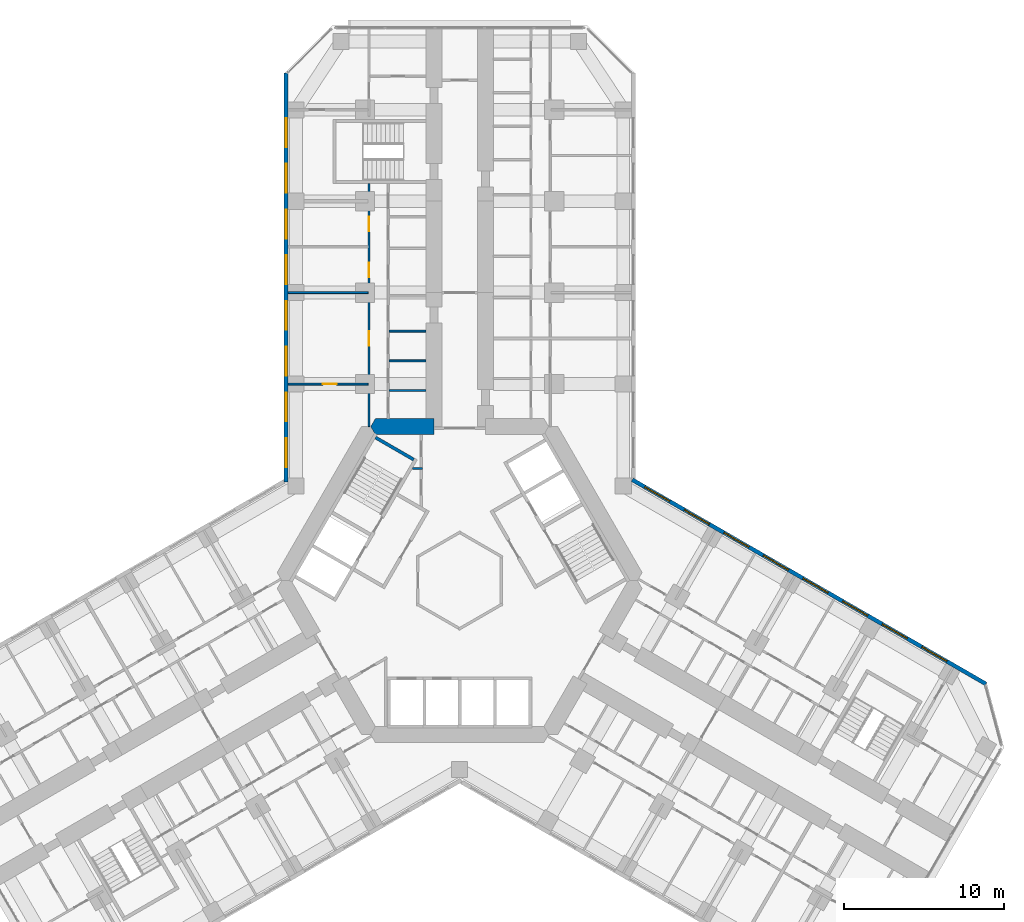
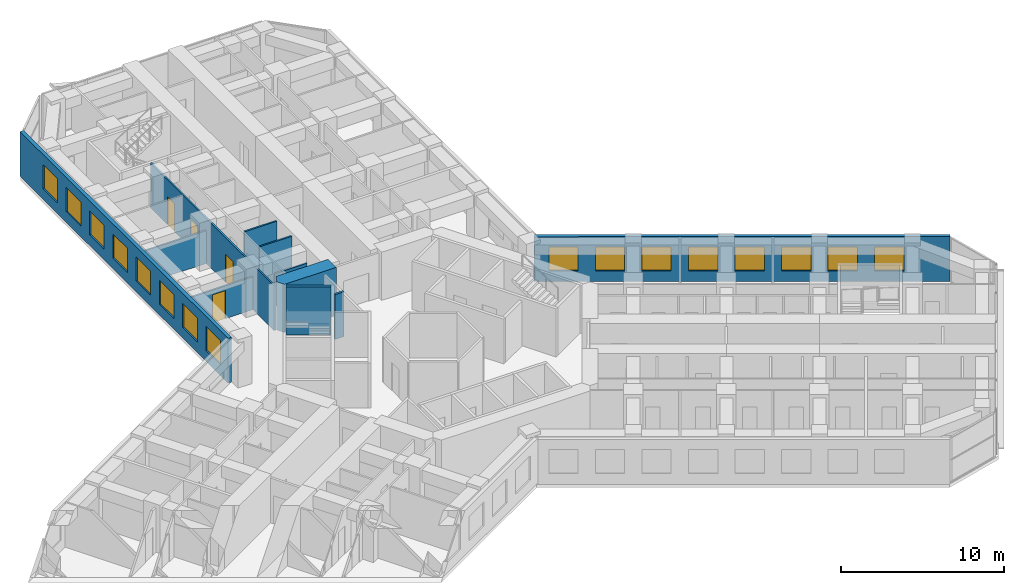
# One storey, part 17 of 21: 16 windows, 11 walls, 4 doors, 20 openings.
"""IFC4 building model written with IfcOpenShell, lengths in metres."""

from ifc_helpers import new_model, si_unit, direction, frame, frame_2d, origin, place, context, subcontext, project, spatial, polyline, rectangle, outline, extrude, material, layer, layer_set, type_object, element, fill, save


model = new_model("IFC4")

# Units and contexts
model_context = context("Model", 3, precision=1e-05, world=origin(), true_north=direction((0.0, 1.0)))
body_context = subcontext(model_context, "Body", "Model", "MODEL_VIEW")
ifc_project = project(units=[si_unit("LENGTHUNIT", "METRE"), si_unit("AREAUNIT", "SQUARE_METRE"), si_unit("VOLUMEUNIT", "CUBIC_METRE"), si_unit("PLANEANGLEUNIT", "RADIAN"), si_unit("MASSUNIT", "GRAM", prefix="KILO")], contexts=[model_context])

# Site, building, storey
site_placement = place(None, origin())
site = spatial("IfcSite", under=ifc_project, at=site_placement, CompositionType="ELEMENT")
building_placement = place(site_placement, origin())
building = spatial("IfcBuilding", under=site, at=building_placement, Name="Kosmar Iwan School Tower", CompositionType="ELEMENT")
storey_placement = place(building_placement, frame((0.0, 0.0, 61.0)))
storey = spatial("IfcBuildingStorey", under=building, at=storey_placement, Name="L14", CompositionType="ELEMENT", Elevation=61.0)

# Walls
ifc_material_1 = material(Name="Gypsum board on steel studs, fire-rated", Category="steel")
ifc_layer_1 = layer(ifc_material_1, 0.14990234375)
ifc_layer_set_1 = layer_set([ifc_layer_1], Name="Core room partition 150")
wall_type_1 = type_object("IfcWallType", Name="Core room partition 150", PredefinedType="PARTITIONING", material=ifc_layer_set_1)
wall_1_placement = place(storey_placement, frame((-2.324951171875, 6.985107421875, 0.0), z_axis=(0.0, 0.0, 1.0), x_axis=(-1.0, 0.0, 0.0)))
element("IfcWall", 1, at=wall_1_placement, inside=storey, type_object=wall_type_1, Name="Core room partition L14-CW2", PredefinedType="PARTITIONING", context=body_context, shape_type="SweptSolid", body=[
    extrude(rectangle(XDim=0.623779296875, YDim=0.14990234375, at=frame_2d((0.31201171875, 0.0))), origin(), (0.0, 0.0, 1.0), 3.35009765625),
])
ifc_material_2 = material(Name="Concrete C50/60", Category="concrete")
ifc_layer_2 = layer(ifc_material_2, 1.0)
ifc_layer_set_2 = layer_set([ifc_layer_2], Name="Core wall 1000")
wall_type_2 = type_object("IfcWallType", Name="Core wall 1000", PredefinedType="SHEAR", material=ifc_layer_set_2)
wall_2_placement = place(storey_placement, origin())
element("IfcWall", 2, at=wall_2_placement, inside=storey, type_object=wall_type_2, Name="Core wall F090b", PredefinedType="SHEAR", context=body_context, shape_type="SweptSolid", body=[
    extrude(outline(polyline([(-5.25390625, 9.10009765625), (-1.60009765625, 9.10009765625), (-1.60009765625, 10.10009765625), (-5.25390625, 10.10009765625), (-5.54248046875, 9.60009765625), (-5.25390625, 9.10009765625)])), origin(), (0.0, 0.0, 1.0), 3.60009765625),
])

# Wall, openings, doors
ifc_material_3 = material(Name="Gypsum board on steel studs", Category="steel")
ifc_layer_3 = layer(ifc_material_3, 0.1201171875)
ifc_layer_set_3 = layer_set([ifc_layer_3], Name="Dwelling partition 120")
wall_type_3 = type_object("IfcWallType", Name="Dwelling partition 120", PredefinedType="PARTITIONING", material=ifc_layer_set_3)
wall_3_placement = place(storey_placement, frame((-5.64990234375, 9.60009765625, 0.0), z_axis=(0.0, 0.0, 1.0), x_axis=(0.0, 1.0, 0.0)))
wall_3 = element("IfcWall", 3, at=wall_3_placement, inside=storey, type_object=wall_type_3, Name="Partition L14-AL1-W2", PredefinedType="PARTITIONING", context=body_context, shape_type="SweptSolid", body=[
    extrude(rectangle(XDim=15.14990234375, YDim=0.1201171875, at=frame_2d((7.574951171875, 0.0))), origin(), (0.0, 0.0, 1.0), 3.35009765625),
])
opening_1_placement = place(wall_3_placement, frame((5.050048828125, 0.0, 0.0)))
opening_1 = element("IfcOpeningElement", 4, at=opening_1_placement, cuts=wall_3, Name="Opening D2", PredefinedType="OPENING", context=body_context, shape_type="SweptSolid", body=[
    extrude(rectangle(XDim=0.89990234375, YDim=2.10009765625, at=frame_2d((0.449951171875, 1.050048828125))), frame((0.0, 0.072021484375, 0.0), z_axis=(0.0, -1.0, 0.0), x_axis=(1.0, 0.0, 0.0)), (0.0, 0.0, 1.0), 0.14404296875),
])
opening_2_placement = place(wall_3_placement, frame((9.324951171875, 0.0, 0.0)))
opening_2 = element("IfcOpeningElement", 5, at=opening_2_placement, cuts=wall_3, Name="Opening D2", PredefinedType="OPENING", context=body_context, shape_type="SweptSolid", body=[
    extrude(rectangle(XDim=0.89990234375, YDim=2.10009765625, at=frame_2d((0.449951171875, 1.050048828125))), frame((0.0, 0.072021484375, 0.0), z_axis=(0.0, -1.0, 0.0), x_axis=(1.0, 0.0, 0.0)), (0.0, 0.0, 1.0), 0.14404296875),
])
opening_3_placement = place(wall_3_placement, frame((12.175048828125, 0.0, 0.0)))
opening_3 = element("IfcOpeningElement", 6, at=opening_3_placement, cuts=wall_3, Name="Opening D2", PredefinedType="OPENING", context=body_context, shape_type="SweptSolid", body=[
    extrude(rectangle(XDim=0.89990234375, YDim=2.10009765625, at=frame_2d((0.449951171875, 1.050048828125))), frame((0.0, 0.072021484375, 0.0), z_axis=(0.0, -1.0, 0.0), x_axis=(1.0, 0.0, 0.0)), (0.0, 0.0, 1.0), 0.14404296875),
])
ifc_material_4 = material(Name="Timber door in timber frame", Category="wood")
door_type = type_object("IfcDoorType", Name="Internal door 900x2100", OperationType="SINGLE_SWING_LEFT", PredefinedType="DOOR", material=ifc_material_4)
door_1_placement = place(opening_1_placement, origin())
door_1 = element("IfcDoor", 7, at=door_1_placement, inside=storey, type_object=door_type, Name="Living room door L14-AL1-F2", OperationType="SINGLE_SWING_RIGHT", OverallHeight=2.10009765625, OverallWidth=0.89990234375, PredefinedType="DOOR", context=body_context, shape_type="SweptSolid", body=[
    extrude(rectangle(XDim=0.89990234375, YDim=2.10009765625, at=frame_2d((0.449951171875, 1.050048828125))), frame((0.0, 0.02490234375, 0.0), z_axis=(0.0, -1.0, 0.0), x_axis=(1.0, 0.0, 0.0)), (0.0, 0.0, 1.0), 0.050048828125),
])
fill(opening_1, door_1)
door_2_placement = place(opening_2_placement, origin())
door_2 = element("IfcDoor", 8, at=door_2_placement, inside=storey, type_object=door_type, Name="Study door L14-AL1-F3", OperationType="SINGLE_SWING_LEFT", OverallHeight=2.10009765625, OverallWidth=0.89990234375, PredefinedType="DOOR", context=body_context, shape_type="SweptSolid", body=[
    extrude(rectangle(XDim=0.89990234375, YDim=2.10009765625, at=frame_2d((0.449951171875, 1.050048828125))), frame((0.0, 0.02490234375, 0.0), z_axis=(0.0, -1.0, 0.0), x_axis=(1.0, 0.0, 0.0)), (0.0, 0.0, 1.0), 0.050048828125),
])
fill(opening_2, door_2)
door_3_placement = place(opening_3_placement, origin())
door_3 = element("IfcDoor", 9, at=door_3_placement, inside=storey, type_object=door_type, Name="Bedroom 1 door L14-AL1-F4", OperationType="SINGLE_SWING_RIGHT", OverallHeight=2.10009765625, OverallWidth=0.89990234375, PredefinedType="DOOR", context=body_context, shape_type="SweptSolid", body=[
    extrude(rectangle(XDim=0.89990234375, YDim=2.10009765625, at=frame_2d((0.449951171875, 1.050048828125))), frame((0.0, 0.02490234375, 0.0), z_axis=(0.0, -1.0, 0.0), x_axis=(1.0, 0.0, 0.0)), (0.0, 0.0, 1.0), 0.050048828125),
])
fill(opening_3, door_3)

# Wall, opening, door
wall_4_placement = place(storey_placement, frame((-5.7099609375, 12.25, 0.0), z_axis=(0.0, 0.0, 1.0), x_axis=(-1.0, 0.0, 0.0)))
wall_4 = element("IfcWall", 10, at=wall_4_placement, inside=storey, type_object=wall_type_3, Name="Partition L14-AL1-X1", PredefinedType="PARTITIONING", context=body_context, shape_type="SweptSolid", body=[
    extrude(rectangle(XDim=4.989990234375, YDim=0.1201171875, at=frame_2d((2.4951171875, 0.0))), origin(), (0.0, 0.0, 1.0), 2.449951171875),
])
opening_4_placement = place(wall_4_placement, frame((1.93994140625, 0.0, 0.0)))
opening_4 = element("IfcOpeningElement", 11, at=opening_4_placement, cuts=wall_4, Name="Opening D2", PredefinedType="OPENING", context=body_context, shape_type="SweptSolid", body=[
    extrude(rectangle(XDim=0.89990234375, YDim=2.10009765625, at=frame_2d((0.449951171875, 1.050048828125))), frame((0.0, 0.072021484375, 0.0), z_axis=(0.0, -1.0, 0.0), x_axis=(1.0, 0.0, 0.0)), (0.0, 0.0, 1.0), 0.14404296875),
])
door_4_placement = place(opening_4_placement, origin())
door_4 = element("IfcDoor", 12, at=door_4_placement, inside=storey, type_object=door_type, Name="Kitchen and dining room door L14-AL1-F1", OperationType="SINGLE_SWING_LEFT", OverallHeight=2.10009765625, OverallWidth=0.89990234375, PredefinedType="DOOR", context=body_context, shape_type="SweptSolid", body=[
    extrude(rectangle(XDim=0.89990234375, YDim=2.10009765625, at=frame_2d((0.449951171875, 1.050048828125))), frame((0.0, 0.02490234375, 0.0), z_axis=(0.0, -1.0, 0.0), x_axis=(1.0, 0.0, 0.0)), (0.0, 0.0, 1.0), 0.050048828125),
])
fill(opening_4, door_4)

# Walls
wall_5_placement = place(storey_placement, frame((-5.7099609375, 17.949951171875, 0.0), z_axis=(0.0, 0.0, 1.0), x_axis=(-1.0, 0.0, 0.0)))
element("IfcWall", 13, at=wall_5_placement, inside=storey, type_object=wall_type_3, Name="Partition L14-AL1-X2", PredefinedType="PARTITIONING", context=body_context, shape_type="SweptSolid", body=[
    extrude(rectangle(XDim=4.989990234375, YDim=0.1201171875, at=frame_2d((2.4951171875, 0.0))), origin(), (0.0, 0.0, 1.0), 2.449951171875),
])
wall_6_placement = place(storey_placement, frame((-2.10009765625, 11.85009765625, 0.0), z_axis=(0.0, 0.0, 1.0), x_axis=(-1.0, 0.0, 0.0)))
element("IfcWall", 14, at=wall_6_placement, inside=storey, type_object=wall_type_3, Name="Partition L14-AL1-Y1", PredefinedType="PARTITIONING", context=body_context, shape_type="SweptSolid", body=[
    extrude(rectangle(XDim=2.289794921875, YDim=0.1201171875, at=frame_2d((1.14501953125, 0.0))), origin(), (0.0, 0.0, 1.0), 2.449951171875),
])
for number, where, z_axis, x_axis, name in (
    (15, (-2.10009765625, 13.699951171875, 0.0), (0.0, 0.0, 1.0), (-1.0, 0.0, 0.0), "Partition L14-AL1-Y2"),
    (16, (-2.10009765625, 15.550048828125, 0.0), (0.0, 0.0, 1.0), (-1.0, 0.0, 0.0), "Partition L14-AL1-Y3"),
):
    element("IfcWall", number, at=place(storey_placement, frame(where, z_axis=z_axis, x_axis=x_axis)), inside=storey, type_object=wall_type_3, Name=name, PredefinedType="PARTITIONING", context=body_context, shape_type="SweptSolid", body=[
        extrude(rectangle(XDim=2.289794921875, YDim=0.1201171875, at=frame_2d((1.14501953125, 0.0))), origin(), (0.0, 0.0, 1.0), 3.35009765625),
    ])

# Wall, openings, windows
ifc_material_5 = material(Name="Black aluminium rainscreen on insulated framing", Category="aluminium")
ifc_layer_4 = layer(ifc_material_5, 0.25)
ifc_layer_set_4 = layer_set([ifc_layer_4], Name="External wall rainscreen 250")
wall_type_4 = type_object("IfcWallType", Name="External wall rainscreen 250", PredefinedType="SOLIDWALL", material=ifc_layer_set_4)
wall_7_placement = place(storey_placement, frame((10.762451171875, 6.285888671875, 0.0), z_axis=(0.0, 0.0, 1.0), x_axis=(0.866027962024, -0.499995568972, 0.0)))
wall_7 = element("IfcWall", 17, at=wall_7_placement, inside=storey, type_object=wall_type_4, Name="External wall CL L14", PredefinedType="SOLIDWALL", context=body_context, shape_type="SweptSolid", body=[
    extrude(rectangle(XDim=25.457763671875, YDim=0.25, at=frame_2d((12.72900390625, 0.0))), origin(), (0.0, 0.0, 1.0), 3.35009765625),
])
opening_5_placement = place(wall_7_placement, frame((0.8974609375, 0.0, 0.800048828125)))
opening_5 = element("IfcOpeningElement", 18, at=opening_5_placement, cuts=wall_7, Name="Opening W1", PredefinedType="OPENING", context=body_context, shape_type="SweptSolid", body=[
    extrude(rectangle(XDim=1.800048828125, YDim=1.800048828125, at=frame_2d((0.89990234375, 0.89990234375))), frame((0.0, 0.136962890625, 0.0), z_axis=(0.0, -1.0, 0.0), x_axis=(1.0, 0.0, 0.0)), (0.0, 0.0, 1.0), 0.27392578125),
])
opening_6_placement = place(wall_7_placement, frame((3.747314453125, 0.0, 0.800048828125)))
opening_6 = element("IfcOpeningElement", 19, at=opening_6_placement, cuts=wall_7, Name="Opening W1", PredefinedType="OPENING", context=body_context, shape_type="SweptSolid", body=[
    extrude(rectangle(XDim=1.800048828125, YDim=1.800048828125, at=frame_2d((0.89990234375, 0.89990234375))), frame((0.0, 0.136962890625, 0.0), z_axis=(0.0, -1.0, 0.0), x_axis=(1.0, 0.0, 0.0)), (0.0, 0.0, 1.0), 0.27392578125),
])
opening_7_placement = place(wall_7_placement, frame((6.597412109375, 0.0, 0.800048828125)))
opening_7 = element("IfcOpeningElement", 20, at=opening_7_placement, cuts=wall_7, Name="Opening W1", PredefinedType="OPENING", context=body_context, shape_type="SweptSolid", body=[
    extrude(rectangle(XDim=1.800048828125, YDim=1.800048828125, at=frame_2d((0.89990234375, 0.89990234375))), frame((0.0, 0.136962890625, 0.0), z_axis=(0.0, -1.0, 0.0), x_axis=(1.0, 0.0, 0.0)), (0.0, 0.0, 1.0), 0.27392578125),
])
opening_8_placement = place(wall_7_placement, frame((9.447265625, 0.0, 0.800048828125)))
opening_8 = element("IfcOpeningElement", 21, at=opening_8_placement, cuts=wall_7, Name="Opening W1", PredefinedType="OPENING", context=body_context, shape_type="SweptSolid", body=[
    extrude(rectangle(XDim=1.800048828125, YDim=1.800048828125, at=frame_2d((0.89990234375, 0.89990234375))), frame((0.0, 0.136962890625, 0.0), z_axis=(0.0, -1.0, 0.0), x_axis=(1.0, 0.0, 0.0)), (0.0, 0.0, 1.0), 0.27392578125),
])
opening_9_placement = place(wall_7_placement, frame((12.29736328125, 0.0, 0.800048828125)))
opening_9 = element("IfcOpeningElement", 22, at=opening_9_placement, cuts=wall_7, Name="Opening W1", PredefinedType="OPENING", context=body_context, shape_type="SweptSolid", body=[
    extrude(rectangle(XDim=1.800048828125, YDim=1.800048828125, at=frame_2d((0.89990234375, 0.89990234375))), frame((0.0, 0.136962890625, 0.0), z_axis=(0.0, -1.0, 0.0), x_axis=(1.0, 0.0, 0.0)), (0.0, 0.0, 1.0), 0.27392578125),
])
opening_10_placement = place(wall_7_placement, frame((15.1474609375, 0.0, 0.800048828125)))
opening_10 = element("IfcOpeningElement", 23, at=opening_10_placement, cuts=wall_7, Name="Opening W1", PredefinedType="OPENING", context=body_context, shape_type="SweptSolid", body=[
    extrude(rectangle(XDim=1.800048828125, YDim=1.800048828125, at=frame_2d((0.89990234375, 0.89990234375))), frame((0.0, 0.136962890625, 0.0), z_axis=(0.0, -1.0, 0.0), x_axis=(1.0, 0.0, 0.0)), (0.0, 0.0, 1.0), 0.27392578125),
])
opening_11_placement = place(wall_7_placement, frame((17.997314453125, 0.0, 0.800048828125)))
opening_11 = element("IfcOpeningElement", 24, at=opening_11_placement, cuts=wall_7, Name="Opening W1", PredefinedType="OPENING", context=body_context, shape_type="SweptSolid", body=[
    extrude(rectangle(XDim=1.800048828125, YDim=1.800048828125, at=frame_2d((0.89990234375, 0.89990234375))), frame((0.0, 0.136962890625, 0.0), z_axis=(0.0, -1.0, 0.0), x_axis=(1.0, 0.0, 0.0)), (0.0, 0.0, 1.0), 0.27392578125),
])
opening_12_placement = place(wall_7_placement, frame((20.847412109375, 0.0, 0.800048828125)))
opening_12 = element("IfcOpeningElement", 25, at=opening_12_placement, cuts=wall_7, Name="Opening W1", PredefinedType="OPENING", context=body_context, shape_type="SweptSolid", body=[
    extrude(rectangle(XDim=1.800048828125, YDim=1.800048828125, at=frame_2d((0.89990234375, 0.89990234375))), frame((0.0, 0.136962890625, 0.0), z_axis=(0.0, -1.0, 0.0), x_axis=(1.0, 0.0, 0.0)), (0.0, 0.0, 1.0), 0.27392578125),
])
ifc_material_6 = material(Name="Black aluminium frame with dark triple glazing", Category="aluminium")
window_type = type_object("IfcWindowType", Name="Window 1800x1800", PartitioningType="SINGLE_PANEL", PredefinedType="WINDOW", material=ifc_material_6)
window_1_placement = place(opening_5_placement, origin())
window_1 = element("IfcWindow", 26, at=window_1_placement, inside=storey, type_object=window_type, Name="Window CL L14 -1", OverallHeight=1.800048828125, OverallWidth=1.800048828125, PartitioningType="SINGLE_PANEL", PredefinedType="WINDOW", context=body_context, shape_type="SweptSolid", body=[
    extrude(rectangle(XDim=1.800048828125, YDim=1.800048828125, at=frame_2d((0.89990234375, 0.89990234375))), frame((0.0, 0.030029296875, 0.0), z_axis=(0.0, -1.0, 0.0), x_axis=(1.0, 0.0, 0.0)), (0.0, 0.0, 1.0), 0.06005859375),
])
fill(opening_5, window_1)
window_2_placement = place(opening_6_placement, origin())
window_2 = element("IfcWindow", 27, at=window_2_placement, inside=storey, type_object=window_type, Name="Window CL L14 0", OverallHeight=1.800048828125, OverallWidth=1.800048828125, PartitioningType="SINGLE_PANEL", PredefinedType="WINDOW", context=body_context, shape_type="SweptSolid", body=[
    extrude(rectangle(XDim=1.800048828125, YDim=1.800048828125, at=frame_2d((0.89990234375, 0.89990234375))), frame((0.0, 0.030029296875, 0.0), z_axis=(0.0, -1.0, 0.0), x_axis=(1.0, 0.0, 0.0)), (0.0, 0.0, 1.0), 0.06005859375),
])
fill(opening_6, window_2)
window_3_placement = place(opening_7_placement, origin())
window_3 = element("IfcWindow", 28, at=window_3_placement, inside=storey, type_object=window_type, Name="Window CL L14 1", OverallHeight=1.800048828125, OverallWidth=1.800048828125, PartitioningType="SINGLE_PANEL", PredefinedType="WINDOW", context=body_context, shape_type="SweptSolid", body=[
    extrude(rectangle(XDim=1.800048828125, YDim=1.800048828125, at=frame_2d((0.89990234375, 0.89990234375))), frame((0.0, 0.030029296875, 0.0), z_axis=(0.0, -1.0, 0.0), x_axis=(1.0, 0.0, 0.0)), (0.0, 0.0, 1.0), 0.06005859375),
])
fill(opening_7, window_3)
window_4_placement = place(opening_8_placement, origin())
window_4 = element("IfcWindow", 29, at=window_4_placement, inside=storey, type_object=window_type, Name="Window CL L14 2", OverallHeight=1.800048828125, OverallWidth=1.800048828125, PartitioningType="SINGLE_PANEL", PredefinedType="WINDOW", context=body_context, shape_type="SweptSolid", body=[
    extrude(rectangle(XDim=1.800048828125, YDim=1.800048828125, at=frame_2d((0.89990234375, 0.89990234375))), frame((0.0, 0.030029296875, 0.0), z_axis=(0.0, -1.0, 0.0), x_axis=(1.0, 0.0, 0.0)), (0.0, 0.0, 1.0), 0.06005859375),
])
fill(opening_8, window_4)
window_5_placement = place(opening_9_placement, origin())
window_5 = element("IfcWindow", 30, at=window_5_placement, inside=storey, type_object=window_type, Name="Window CL L14 3", OverallHeight=1.800048828125, OverallWidth=1.800048828125, PartitioningType="SINGLE_PANEL", PredefinedType="WINDOW", context=body_context, shape_type="SweptSolid", body=[
    extrude(rectangle(XDim=1.800048828125, YDim=1.800048828125, at=frame_2d((0.89990234375, 0.89990234375))), frame((0.0, 0.030029296875, 0.0), z_axis=(0.0, -1.0, 0.0), x_axis=(1.0, 0.0, 0.0)), (0.0, 0.0, 1.0), 0.06005859375),
])
fill(opening_9, window_5)
window_6_placement = place(opening_10_placement, origin())
window_6 = element("IfcWindow", 31, at=window_6_placement, inside=storey, type_object=window_type, Name="Window CL L14 4", OverallHeight=1.800048828125, OverallWidth=1.800048828125, PartitioningType="SINGLE_PANEL", PredefinedType="WINDOW", context=body_context, shape_type="SweptSolid", body=[
    extrude(rectangle(XDim=1.800048828125, YDim=1.800048828125, at=frame_2d((0.89990234375, 0.89990234375))), frame((0.0, 0.030029296875, 0.0), z_axis=(0.0, -1.0, 0.0), x_axis=(1.0, 0.0, 0.0)), (0.0, 0.0, 1.0), 0.06005859375),
])
fill(opening_10, window_6)
window_7_placement = place(opening_11_placement, origin())
window_7 = element("IfcWindow", 32, at=window_7_placement, inside=storey, type_object=window_type, Name="Window CL L14 5", OverallHeight=1.800048828125, OverallWidth=1.800048828125, PartitioningType="SINGLE_PANEL", PredefinedType="WINDOW", context=body_context, shape_type="SweptSolid", body=[
    extrude(rectangle(XDim=1.800048828125, YDim=1.800048828125, at=frame_2d((0.89990234375, 0.89990234375))), frame((0.0, 0.030029296875, 0.0), z_axis=(0.0, -1.0, 0.0), x_axis=(1.0, 0.0, 0.0)), (0.0, 0.0, 1.0), 0.06005859375),
])
fill(opening_11, window_7)
window_8_placement = place(opening_12_placement, origin())
window_8 = element("IfcWindow", 33, at=window_8_placement, inside=storey, type_object=window_type, Name="Window CL L14 6", OverallHeight=1.800048828125, OverallWidth=1.800048828125, PartitioningType="SINGLE_PANEL", PredefinedType="WINDOW", context=body_context, shape_type="SweptSolid", body=[
    extrude(rectangle(XDim=1.800048828125, YDim=1.800048828125, at=frame_2d((0.89990234375, 0.89990234375))), frame((0.0, 0.030029296875, 0.0), z_axis=(0.0, -1.0, 0.0), x_axis=(1.0, 0.0, 0.0)), (0.0, 0.0, 1.0), 0.06005859375),
])
fill(opening_12, window_8)

wall_8_placement = place(storey_placement, frame((-10.824951171875, 6.14794921875, 0.0), z_axis=(0.0, 0.0, 1.0), x_axis=(0.0, 1.0, 0.0)))
wall_8 = element("IfcWall", 34, at=wall_8_placement, inside=storey, type_object=wall_type_4, Name="External wall AL L14", PredefinedType="SOLIDWALL", context=body_context, shape_type="SweptSolid", body=[
    extrude(rectangle(XDim=25.4873046875, YDim=0.25, at=frame_2d((12.74365234375, 0.0))), origin(), (0.0, 0.0, 1.0), 3.35009765625),
])
opening_13_placement = place(wall_8_placement, frame((0.927001953125, 0.0, 0.800048828125)))
opening_13 = element("IfcOpeningElement", 35, at=opening_13_placement, cuts=wall_8, Name="Opening W1", PredefinedType="OPENING", context=body_context, shape_type="SweptSolid", body=[
    extrude(rectangle(XDim=1.800048828125, YDim=1.800048828125, at=frame_2d((0.89990234375, 0.89990234375))), frame((0.0, 0.136962890625, 0.0), z_axis=(0.0, -1.0, 0.0), x_axis=(1.0, 0.0, 0.0)), (0.0, 0.0, 1.0), 0.27392578125),
])
opening_14_placement = place(wall_8_placement, frame((3.777099609375, 0.0, 0.800048828125)))
opening_14 = element("IfcOpeningElement", 36, at=opening_14_placement, cuts=wall_8, Name="Opening W1", PredefinedType="OPENING", context=body_context, shape_type="SweptSolid", body=[
    extrude(rectangle(XDim=1.800048828125, YDim=1.800048828125, at=frame_2d((0.89990234375, 0.89990234375))), frame((0.0, 0.136962890625, 0.0), z_axis=(0.0, -1.0, 0.0), x_axis=(1.0, 0.0, 0.0)), (0.0, 0.0, 1.0), 0.27392578125),
])
opening_15_placement = place(wall_8_placement, frame((6.626953125, 0.0, 0.800048828125)))
opening_15 = element("IfcOpeningElement", 37, at=opening_15_placement, cuts=wall_8, Name="Opening W1", PredefinedType="OPENING", context=body_context, shape_type="SweptSolid", body=[
    extrude(rectangle(XDim=1.800048828125, YDim=1.800048828125, at=frame_2d((0.89990234375, 0.89990234375))), frame((0.0, 0.136962890625, 0.0), z_axis=(0.0, -1.0, 0.0), x_axis=(1.0, 0.0, 0.0)), (0.0, 0.0, 1.0), 0.27392578125),
])
opening_16_placement = place(wall_8_placement, frame((9.47705078125, 0.0, 0.800048828125)))
opening_16 = element("IfcOpeningElement", 38, at=opening_16_placement, cuts=wall_8, Name="Opening W1", PredefinedType="OPENING", context=body_context, shape_type="SweptSolid", body=[
    extrude(rectangle(XDim=1.800048828125, YDim=1.800048828125, at=frame_2d((0.89990234375, 0.89990234375))), frame((0.0, 0.136962890625, 0.0), z_axis=(0.0, -1.0, 0.0), x_axis=(1.0, 0.0, 0.0)), (0.0, 0.0, 1.0), 0.27392578125),
])
opening_17_placement = place(wall_8_placement, frame((12.326904296875, 0.0, 0.800048828125)))
opening_17 = element("IfcOpeningElement", 39, at=opening_17_placement, cuts=wall_8, Name="Opening W1", PredefinedType="OPENING", context=body_context, shape_type="SweptSolid", body=[
    extrude(rectangle(XDim=1.800048828125, YDim=1.800048828125, at=frame_2d((0.89990234375, 0.89990234375))), frame((0.0, 0.136962890625, 0.0), z_axis=(0.0, -1.0, 0.0), x_axis=(1.0, 0.0, 0.0)), (0.0, 0.0, 1.0), 0.27392578125),
])
opening_18_placement = place(wall_8_placement, frame((15.177001953125, 0.0, 0.800048828125)))
opening_18 = element("IfcOpeningElement", 40, at=opening_18_placement, cuts=wall_8, Name="Opening W1", PredefinedType="OPENING", context=body_context, shape_type="SweptSolid", body=[
    extrude(rectangle(XDim=1.800048828125, YDim=1.800048828125, at=frame_2d((0.89990234375, 0.89990234375))), frame((0.0, 0.136962890625, 0.0), z_axis=(0.0, -1.0, 0.0), x_axis=(1.0, 0.0, 0.0)), (0.0, 0.0, 1.0), 0.27392578125),
])
opening_19_placement = place(wall_8_placement, frame((18.027099609375, 0.0, 0.800048828125)))
opening_19 = element("IfcOpeningElement", 41, at=opening_19_placement, cuts=wall_8, Name="Opening W1", PredefinedType="OPENING", context=body_context, shape_type="SweptSolid", body=[
    extrude(rectangle(XDim=1.800048828125, YDim=1.800048828125, at=frame_2d((0.89990234375, 0.89990234375))), frame((0.0, 0.136962890625, 0.0), z_axis=(0.0, -1.0, 0.0), x_axis=(1.0, 0.0, 0.0)), (0.0, 0.0, 1.0), 0.27392578125),
])
opening_20_placement = place(wall_8_placement, frame((20.876953125, 0.0, 0.800048828125)))
opening_20 = element("IfcOpeningElement", 42, at=opening_20_placement, cuts=wall_8, Name="Opening W1", PredefinedType="OPENING", context=body_context, shape_type="SweptSolid", body=[
    extrude(rectangle(XDim=1.800048828125, YDim=1.800048828125, at=frame_2d((0.89990234375, 0.89990234375))), frame((0.0, 0.136962890625, 0.0), z_axis=(0.0, -1.0, 0.0), x_axis=(1.0, 0.0, 0.0)), (0.0, 0.0, 1.0), 0.27392578125),
])
window_9_placement = place(opening_13_placement, origin())
window_9 = element("IfcWindow", 43, at=window_9_placement, inside=storey, type_object=window_type, Name="Window AL L14 -1", OverallHeight=1.800048828125, OverallWidth=1.800048828125, PartitioningType="SINGLE_PANEL", PredefinedType="WINDOW", context=body_context, shape_type="SweptSolid", body=[
    extrude(rectangle(XDim=1.800048828125, YDim=1.800048828125, at=frame_2d((0.89990234375, 0.89990234375))), frame((0.0, 0.030029296875, 0.0), z_axis=(0.0, -1.0, 0.0), x_axis=(1.0, 0.0, 0.0)), (0.0, 0.0, 1.0), 0.06005859375),
])
fill(opening_13, window_9)
window_10_placement = place(opening_14_placement, origin())
window_10 = element("IfcWindow", 44, at=window_10_placement, inside=storey, type_object=window_type, Name="Window AL L14 0", OverallHeight=1.800048828125, OverallWidth=1.800048828125, PartitioningType="SINGLE_PANEL", PredefinedType="WINDOW", context=body_context, shape_type="SweptSolid", body=[
    extrude(rectangle(XDim=1.800048828125, YDim=1.800048828125, at=frame_2d((0.89990234375, 0.89990234375))), frame((0.0, 0.030029296875, 0.0), z_axis=(0.0, -1.0, 0.0), x_axis=(1.0, 0.0, 0.0)), (0.0, 0.0, 1.0), 0.06005859375),
])
fill(opening_14, window_10)
window_11_placement = place(opening_15_placement, origin())
window_11 = element("IfcWindow", 45, at=window_11_placement, inside=storey, type_object=window_type, Name="Window AL L14 1", OverallHeight=1.800048828125, OverallWidth=1.800048828125, PartitioningType="SINGLE_PANEL", PredefinedType="WINDOW", context=body_context, shape_type="SweptSolid", body=[
    extrude(rectangle(XDim=1.800048828125, YDim=1.800048828125, at=frame_2d((0.89990234375, 0.89990234375))), frame((0.0, 0.030029296875, 0.0), z_axis=(0.0, -1.0, 0.0), x_axis=(1.0, 0.0, 0.0)), (0.0, 0.0, 1.0), 0.06005859375),
])
fill(opening_15, window_11)
window_12_placement = place(opening_16_placement, origin())
window_12 = element("IfcWindow", 46, at=window_12_placement, inside=storey, type_object=window_type, Name="Window AL L14 2", OverallHeight=1.800048828125, OverallWidth=1.800048828125, PartitioningType="SINGLE_PANEL", PredefinedType="WINDOW", context=body_context, shape_type="SweptSolid", body=[
    extrude(rectangle(XDim=1.800048828125, YDim=1.800048828125, at=frame_2d((0.89990234375, 0.89990234375))), frame((0.0, 0.030029296875, 0.0), z_axis=(0.0, -1.0, 0.0), x_axis=(1.0, 0.0, 0.0)), (0.0, 0.0, 1.0), 0.06005859375),
])
fill(opening_16, window_12)
window_13_placement = place(opening_17_placement, origin())
window_13 = element("IfcWindow", 47, at=window_13_placement, inside=storey, type_object=window_type, Name="Window AL L14 3", OverallHeight=1.800048828125, OverallWidth=1.800048828125, PartitioningType="SINGLE_PANEL", PredefinedType="WINDOW", context=body_context, shape_type="SweptSolid", body=[
    extrude(rectangle(XDim=1.800048828125, YDim=1.800048828125, at=frame_2d((0.89990234375, 0.89990234375))), frame((0.0, 0.030029296875, 0.0), z_axis=(0.0, -1.0, 0.0), x_axis=(1.0, 0.0, 0.0)), (0.0, 0.0, 1.0), 0.06005859375),
])
fill(opening_17, window_13)
window_14_placement = place(opening_18_placement, origin())
window_14 = element("IfcWindow", 48, at=window_14_placement, inside=storey, type_object=window_type, Name="Window AL L14 4", OverallHeight=1.800048828125, OverallWidth=1.800048828125, PartitioningType="SINGLE_PANEL", PredefinedType="WINDOW", context=body_context, shape_type="SweptSolid", body=[
    extrude(rectangle(XDim=1.800048828125, YDim=1.800048828125, at=frame_2d((0.89990234375, 0.89990234375))), frame((0.0, 0.030029296875, 0.0), z_axis=(0.0, -1.0, 0.0), x_axis=(1.0, 0.0, 0.0)), (0.0, 0.0, 1.0), 0.06005859375),
])
fill(opening_18, window_14)
window_15_placement = place(opening_19_placement, origin())
window_15 = element("IfcWindow", 49, at=window_15_placement, inside=storey, type_object=window_type, Name="Window AL L14 5", OverallHeight=1.800048828125, OverallWidth=1.800048828125, PartitioningType="SINGLE_PANEL", PredefinedType="WINDOW", context=body_context, shape_type="SweptSolid", body=[
    extrude(rectangle(XDim=1.800048828125, YDim=1.800048828125, at=frame_2d((0.89990234375, 0.89990234375))), frame((0.0, 0.030029296875, 0.0), z_axis=(0.0, -1.0, 0.0), x_axis=(1.0, 0.0, 0.0)), (0.0, 0.0, 1.0), 0.06005859375),
])
fill(opening_19, window_15)
window_16_placement = place(opening_20_placement, origin())
window_16 = element("IfcWindow", 50, at=window_16_placement, inside=storey, type_object=window_type, Name="Window AL L14 6", OverallHeight=1.800048828125, OverallWidth=1.800048828125, PartitioningType="SINGLE_PANEL", PredefinedType="WINDOW", context=body_context, shape_type="SweptSolid", body=[
    extrude(rectangle(XDim=1.800048828125, YDim=1.800048828125, at=frame_2d((0.89990234375, 0.89990234375))), frame((0.0, 0.030029296875, 0.0), z_axis=(0.0, -1.0, 0.0), x_axis=(1.0, 0.0, 0.0)), (0.0, 0.0, 1.0), 0.06005859375),
])
fill(opening_20, window_16)

# Wall
ifc_material_7 = material(Name="Concrete C50/60", Category="concrete")
ifc_layer_5 = layer(ifc_material_7, 0.199951171875)
ifc_layer_set_5 = layer_set([ifc_layer_5], Name="Stair enclosure wall 200")
wall_type_5 = type_object("IfcWallType", Name="Stair enclosure wall 200", PredefinedType="SHEAR", material=ifc_layer_set_5)
wall_9_placement = place(storey_placement, frame((-2.862548828125, 7.541748046875, 0.0), z_axis=(0.0, 0.0, 1.0), x_axis=(-0.866027397988, 0.499996545922, 0.0)))
element("IfcWall", 51, at=wall_9_placement, inside=storey, type_object=wall_type_5, Name="Stair ST2 wall", PredefinedType="SHEAR", context=body_context, shape_type="SweptSolid", body=[
    extrude(rectangle(XDim=2.75, YDim=0.199951171875, at=frame_2d((1.375, 0.0))), origin(), (0.0, 0.0, 1.0), 3.60009765625),
])

save(model, "model.ifc")
